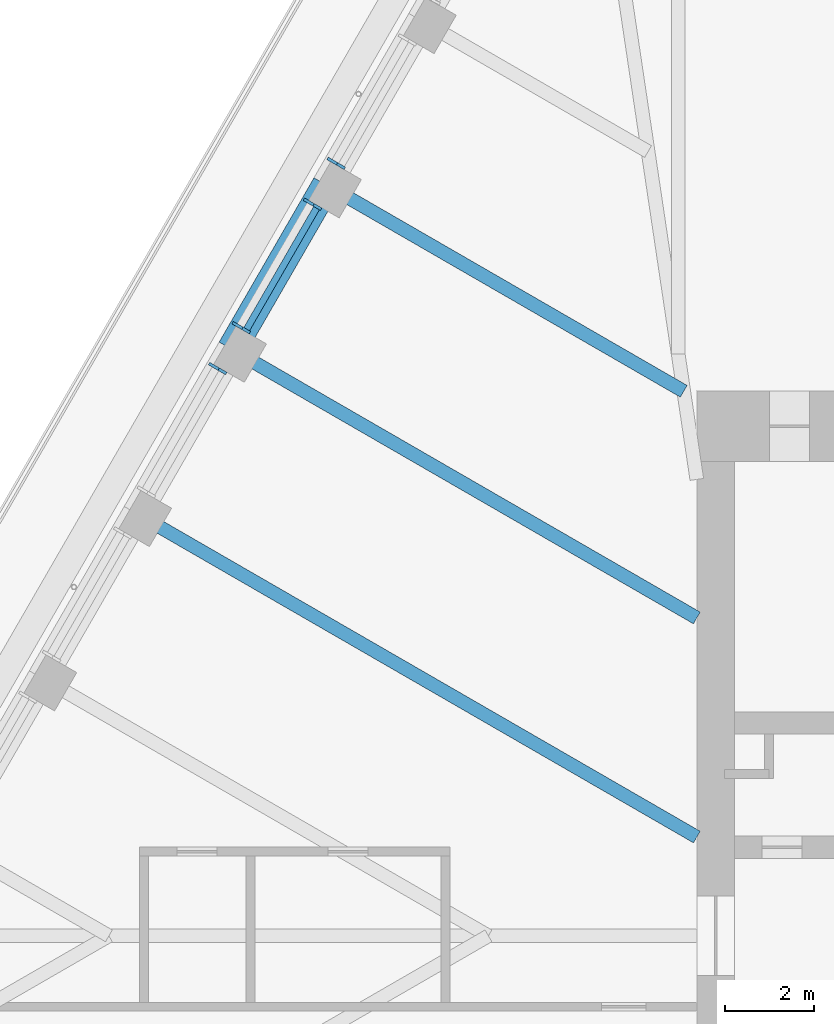
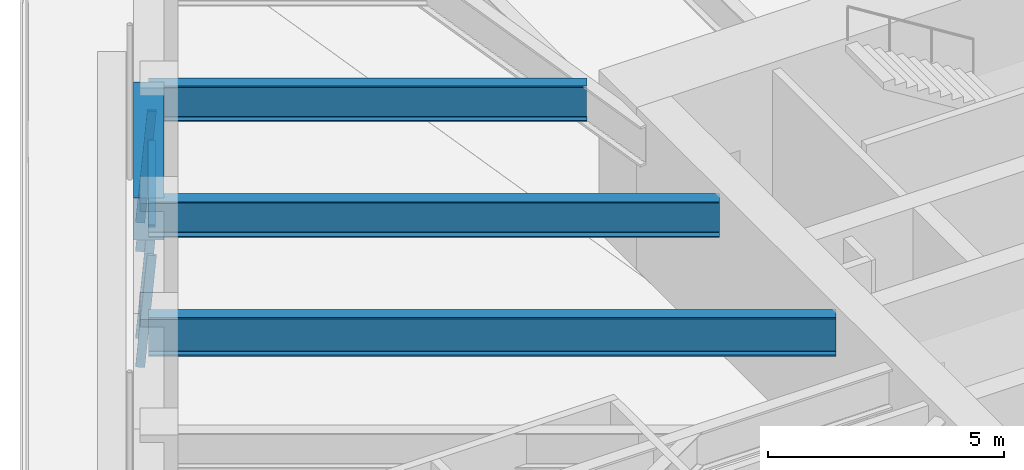
# One storey, part 7 of 19: 5 members, 4 beams, 3 elements without a shape of their own.
"""IFC4 building model written with IfcOpenShell, lengths in metres."""

from ifc_helpers import new_model, si_unit, direction, frame, origin, origin_2d, place, context, subcontext, project, spatial, rectangle, i_section, extrude, material, material_profile, profile_set, type_object, element, aggregate, save


model = new_model("IFC4")

# Units and contexts
model_context = context("Model", 3, precision=1e-05, world=origin(), true_north=direction((0.0, 1.0)))
body_context = subcontext(model_context, "Body", "Model", "MODEL_VIEW")
ifc_project = project(units=[si_unit("LENGTHUNIT", "METRE"), si_unit("AREAUNIT", "SQUARE_METRE"), si_unit("VOLUMEUNIT", "CUBIC_METRE"), si_unit("PLANEANGLEUNIT", "RADIAN"), si_unit("MASSUNIT", "GRAM", prefix="KILO")], contexts=[model_context])

# Site, building, storey
site_placement = place(None, origin())
site = spatial("IfcSite", under=ifc_project, at=site_placement, CompositionType="ELEMENT")
building_placement = place(site_placement, origin())
building = spatial("IfcBuilding", under=site, at=building_placement, Name="Tarfa Lantern Tower", CompositionType="ELEMENT")
storey_placement = place(building_placement, frame((0.0, 0.0, 332.5)))
storey = spatial("IfcBuildingStorey", under=building, at=storey_placement, Name="L75", CompositionType="ELEMENT", Elevation=332.5)

# Curtain wall, member
ifc_material_1 = material(Name="Aluminium framed curtain wall", Category="aluminium")
curtain_wall_type = type_object("IfcCurtainWallType", Name="CW4 CANTED GLAZING EXECUTIVE ZONE 2900", PredefinedType="USERDEFINED", material=ifc_material_1)
curtain_wall_1_placement = place(storey_placement, origin())
curtain_wall_1 = element("IfcCurtainWall", 1, at=curtain_wall_1_placement, inside=storey, type_object=curtain_wall_type, Name="CW4 NW L75", ObjectType="CURTAIN WALL", PredefinedType="USERDEFINED")
ifc_material_2 = material(Name="Aluminium mullion", Category="aluminium")
ifc_material_profile_1 = material_profile(ifc_material_2, rectangle(XDim=0.06494140625, YDim=0.199951171875, at=origin_2d()), Name="AL MULLION 65x200")
ifc_profile_set_1 = profile_set([ifc_material_profile_1], Name="Aluminium mullion")
member_type_1 = type_object("IfcMemberType", Name="CWM1 MULLION 65x200", PredefinedType="MULLION", material=ifc_profile_set_1)
member_1_placement = place(storey_placement, frame((-20.67236328125, 17.494384765625, 0.0), z_axis=(0.074399820079, -0.042945555672, 0.996303340364), x_axis=(0.499919672301, 0.866071776036, 0.0)))
member_1 = element("IfcMember", 2, at=member_1_placement, type_object=member_type_1, Name="CW4 mullion 2", PredefinedType="MULLION", context=body_context, shape_type="SweptSolid", body=[
    extrude(rectangle(XDim=0.06494140625, YDim=0.199951171875, at=origin_2d()), origin(), (0.0, 0.0, 1.0), 2.91064453125),
])
aggregate(curtain_wall_1, [member_1])

# Curtain wall, members
curtain_wall_2_placement = place(storey_placement, origin())
curtain_wall_2 = element("IfcCurtainWall", 3, at=curtain_wall_2_placement, inside=storey, type_object=curtain_wall_type, Name="CW4 NW L75", ObjectType="CURTAIN WALL", PredefinedType="USERDEFINED")
member_2_placement = place(storey_placement, frame((-21.204833984375, 16.572265625, 0.0), z_axis=(0.074399820079, -0.042945555672, 0.996303340364), x_axis=(0.499919672301, 0.866071776036, 0.0)))
member_2 = element("IfcMember", 4, at=member_2_placement, type_object=member_type_1, Name="CW4 mullion 1", PredefinedType="MULLION", context=body_context, shape_type="SweptSolid", body=[
    extrude(rectangle(XDim=0.06494140625, YDim=0.199951171875, at=origin_2d()), origin(), (0.0, 0.0, 1.0), 2.91064453125),
])
member_3_placement = place(storey_placement, frame((-22.813232421875, 13.7861328125, 0.0), z_axis=(0.074316405553, -0.042945823525, 0.996309554359), x_axis=(0.500342721131, 0.865827443207, 0.0)))
member_3 = element("IfcMember", 5, at=member_3_placement, type_object=member_type_1, Name="CW4 mullion 2", PredefinedType="MULLION", context=body_context, shape_type="SweptSolid", body=[
    extrude(rectangle(XDim=0.06494140625, YDim=0.199951171875, at=origin_2d()), origin(), (0.0, 0.0, 1.0), 2.91064453125),
])

# Curtain wall, member
curtain_wall_3_placement = place(storey_placement, origin())
curtain_wall_3 = element("IfcCurtainWall", 6, at=curtain_wall_3_placement, inside=storey, type_object=curtain_wall_type, Name="CW4 NW L75", ObjectType="CURTAIN WALL", PredefinedType="USERDEFINED")
member_4_placement = place(storey_placement, frame((-23.345947265625, 12.86376953125, 0.0), z_axis=(0.074399820079, -0.042945555672, 0.996303340364), x_axis=(0.499919672301, 0.866071776036, 0.0)))
member_4 = element("IfcMember", 7, at=member_4_placement, type_object=member_type_1, Name="CW4 mullion 1", PredefinedType="MULLION", context=body_context, shape_type="SweptSolid", body=[
    extrude(rectangle(XDim=0.06494140625, YDim=0.199951171875, at=origin_2d()), origin(), (0.0, 0.0, 1.0), 2.91064453125),
])
aggregate(curtain_wall_3, [member_4])

# Member
ifc_material_3 = material(Name="Aluminium transom", Category="aluminium")
ifc_material_profile_2 = material_profile(ifc_material_3, rectangle(XDim=0.14990234375, YDim=0.06494140625, at=origin_2d()), Name="AL TRANSOM 150x65")
ifc_profile_set_2 = profile_set([ifc_material_profile_2], Name="Aluminium transom")
member_type_2 = type_object("IfcMemberType", Name="CWT1 TRANSOM 150x65", PredefinedType="USERDEFINED", material=ifc_profile_set_2)
member_5_placement = place(storey_placement, frame((-21.007080078125, 16.42041015625, 2.867431640625), z_axis=(-0.499979472441, -0.866037255052, 0.0), x_axis=(0.866037255052, -0.499979472441, 0.0)))
member_5 = element("IfcMember", 8, at=member_5_placement, type_object=member_type_2, Name="CW4 transom 1.2", ObjectType="TRANSOM", PredefinedType="USERDEFINED", context=body_context, shape_type="SweptSolid", body=[
    extrude(rectangle(XDim=0.14990234375, YDim=0.06494140625, at=origin_2d()), origin(), (0.0, 0.0, 1.0), 3.152099609375),
])

aggregate(curtain_wall_2, [member_2, member_3, member_5])

# Beams
ifc_material_4 = material(Name="Concrete C80/95", Category="concrete")
ifc_material_profile_3 = material_profile(ifc_material_4, rectangle(XDim=0.64990234375, YDim=1.10009765625, at=origin_2d()), Name="RC 650x1100")
ifc_profile_set_3 = profile_set([ifc_material_profile_3], Name="Concrete C80/95")
beam_type_1 = type_object("IfcBeamType", Name="EB4 RC 650x1100", PredefinedType="SPANDREL", material=ifc_profile_set_3)
beam_1_placement = place(storey_placement, frame((-20.78271484375, 16.943359375, 3.449951171875), z_axis=(-0.499984039138, -0.866034618596, 0.0), x_axis=(0.866034618596, -0.499984039138, 0.0)))
element("IfcBeam", 9, at=beam_1_placement, inside=storey, type_object=beam_type_1, Name="Edge beam NW2", PredefinedType="SPANDREL", context=body_context, shape_type="SweptSolid", body=[
    extrude(rectangle(XDim=0.64990234375, YDim=1.10009765625, at=origin_2d()), origin(), (0.0, 0.0, 1.0), 4.281982421875),
])
ifc_material_5 = material(Name="Steel S460M", Category="steel")
ifc_material_profile_4 = material_profile(ifc_material_5, i_section(OverallWidth=0.302001953125, OverallDepth=1.008056640625, WebThickness=0.02099609375, FlangeThickness=0.0400390625, FilletRadius=0.030029296875, at=origin_2d()), Name="UB1016x305x349")
ifc_profile_set_4 = profile_set([ifc_material_profile_4], Name="Steel S460M")
beam_type_2 = type_object("IfcBeamType", Name="UB1016x305x349", PredefinedType="BEAM", material=ifc_profile_set_4)
beam_2_placement = place(storey_placement, frame((-25.064697265625, 9.526611328125, 3.495849609375), z_axis=(0.866029591389, -0.499992746786, 0.0), x_axis=(0.499992746786, 0.866029591389, 0.0)))
element("IfcBeam", 10, at=beam_2_placement, inside=storey, type_object=beam_type_2, Name="Floor beam NW4", PredefinedType="BEAM", context=body_context, shape_type="SweptSolid", body=[
    extrude(i_section(OverallWidth=0.302001953125, OverallDepth=1.008056640625, WebThickness=0.02099609375, FlangeThickness=0.0400390625, FilletRadius=0.030029296875, at=origin_2d()), origin(), (0.0, 0.0, 1.0), 14.594970703125),
])
ifc_material_profile_5 = material_profile(ifc_material_5, i_section(OverallWidth=0.305419921875, OverallDepth=0.91845703125, WebThickness=0.017333984375, FlangeThickness=0.02783203125, FilletRadius=0.01904296875, at=origin_2d()), Name="UB914x305x253")
ifc_profile_set_5 = profile_set([ifc_material_profile_5], Name="Steel S460M")
beam_type_3 = type_object("IfcBeamType", Name="UB914x305x253", PredefinedType="BEAM", material=ifc_profile_set_5)
beam_3_placement = place(storey_placement, frame((-20.78271484375, 16.943359375, 3.540771484375), z_axis=(0.866021806508, -0.500006230613, 0.0), x_axis=(0.500006230613, 0.866021806508, 0.0)))
element("IfcBeam", 11, at=beam_3_placement, inside=storey, type_object=beam_type_3, Name="Floor beam NW2", PredefinedType="BEAM", context=body_context, shape_type="SweptSolid", body=[
    extrude(i_section(OverallWidth=0.305419921875, OverallDepth=0.91845703125, WebThickness=0.017333984375, FlangeThickness=0.02783203125, FilletRadius=0.01904296875, at=origin_2d()), origin(), (0.0, 0.0, 1.0), 9.30908203125),
])
beam_4_placement = place(storey_placement, frame((-22.923583984375, 13.235107421875, 3.540771484375), z_axis=(0.86601856927, -0.500011837539, 0.0), x_axis=(0.500011837539, 0.86601856927, 0.0)))
element("IfcBeam", 12, at=beam_4_placement, inside=storey, type_object=beam_type_3, Name="Floor beam NW3", PredefinedType="BEAM", context=body_context, shape_type="SweptSolid", body=[
    extrude(i_section(OverallWidth=0.305419921875, OverallDepth=0.91845703125, WebThickness=0.017333984375, FlangeThickness=0.02783203125, FilletRadius=0.01904296875, at=origin_2d()), origin(), (0.0, 0.0, 1.0), 12.122802734375),
])

save(model, "model.ifc")
